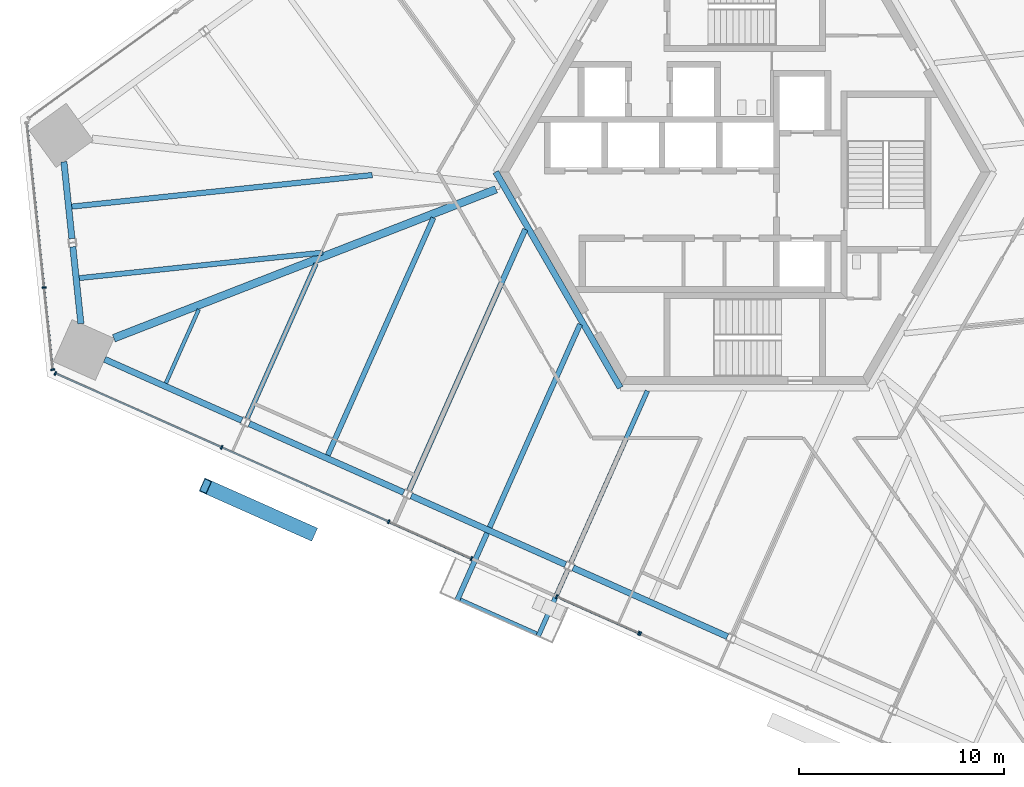
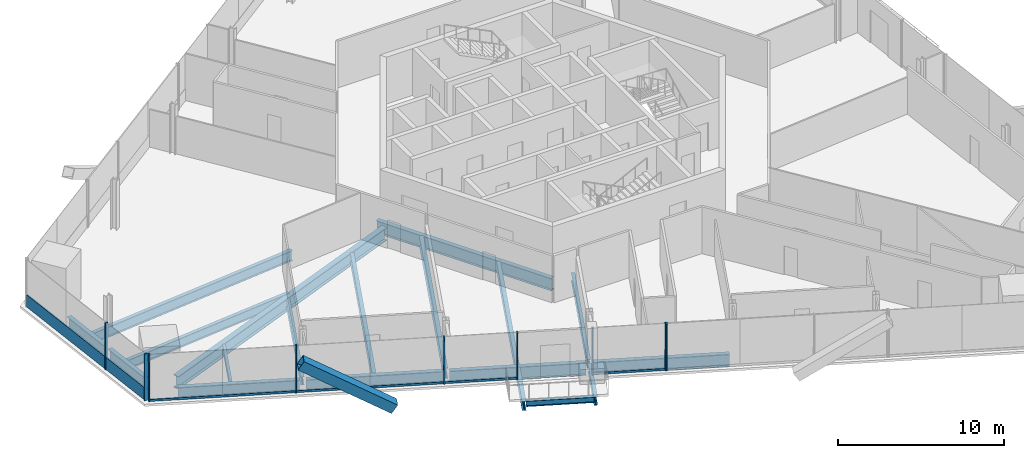
# One storey, part 3 of 18: 19 beams, 16 members, 4 elements without a shape of their own.
"""IFC4 building model written with IfcOpenShell, lengths in metres."""

from ifc_helpers import new_model, si_unit, direction, frame, origin, origin_2d, place, context, subcontext, project, spatial, rectangle, hollow_rectangle, i_section, extrude, source, transform, mapped, material, material_profile, profile_set, type_object, element, aggregate, save


model = new_model("IFC4")

# Units and contexts
model_context = context("Model", 3, precision=1e-05, world=origin(), true_north=direction((0.0, 1.0)))
body_context = subcontext(model_context, "Body", "Model", "MODEL_VIEW")
ifc_project = project(units=[si_unit("LENGTHUNIT", "METRE"), si_unit("AREAUNIT", "SQUARE_METRE"), si_unit("VOLUMEUNIT", "CUBIC_METRE"), si_unit("PLANEANGLEUNIT", "RADIAN"), si_unit("MASSUNIT", "GRAM", prefix="KILO")], contexts=[model_context])

# Site, building, storey
site_placement = place(None, origin())
site = spatial("IfcSite", under=ifc_project, at=site_placement, CompositionType="ELEMENT")
building_placement = place(site_placement, origin())
building = spatial("IfcBuilding", under=site, at=building_placement, Name="Triune Harvest Tower", CompositionType="ELEMENT")
storey_placement = place(building_placement, frame((0.0, 0.0, 83.699951171875)))
storey = spatial("IfcBuildingStorey", under=building, at=storey_placement, Name="L20", CompositionType="ELEMENT", Elevation=83.699951171875)

# Curtain wall, members
ifc_material_1 = material(Name="Aluminium bronze anodised", Category="aluminium")
curtain_wall_type_1 = type_object("IfcCurtainWallType", Name="CW-6 Balcony window wall", PredefinedType="NOTDEFINED", material=ifc_material_1)
curtain_wall_1_placement = place(storey_placement, origin())
curtain_wall_1 = element("IfcCurtainWall", 1, at=curtain_wall_1_placement, inside=storey, type_object=curtain_wall_type_1, Name="CW-6 B2-F5 L20 run 1")
ifc_material_2 = material(Name="Aluminium bronze anodised", Category="aluminium")
ifc_material_profile_1 = material_profile(ifc_material_2, rectangle(XDim=0.090087890625, YDim=0.14990234375, at=origin_2d()), Name="TR-6 transom 90 x 150")
ifc_profile_set_1 = profile_set([ifc_material_profile_1], Name="Aluminium bronze anodised")
member_type_1 = type_object("IfcMemberType", Name="TR-6 transom 90 x 150", PredefinedType="USERDEFINED", material=ifc_profile_set_1)
member_1_placement = place(storey_placement, frame((-25.53955078125, -13.474853515625, 0.074951171875), z_axis=(0.913546602643, -0.406734071352, 0.0), x_axis=(0.406734071352, 0.913546602643, 0.0)))
member_1 = element("IfcMember", 2, at=member_1_placement, type_object=member_type_1, Name="CW-6 transom B2-F5 1.2", ObjectType="TRANSOM", PredefinedType="USERDEFINED", context=body_context, shape_type="SweptSolid", body=[
    extrude(rectangle(XDim=0.090087890625, YDim=0.14990234375, at=origin_2d()), origin(), (0.0, 0.0, 1.0), 8.8603515625),
])
member_2_placement = place(storey_placement, frame((-17.376708984375, -17.109130859375, 0.074951171875), z_axis=(0.913533931173, -0.406762530964, 0.0), x_axis=(0.406762530964, 0.913533931173, 0.0)))
member_2 = element("IfcMember", 3, at=member_2_placement, type_object=member_type_1, Name="CW-6 transom B2-F5 1.3", ObjectType="TRANSOM", PredefinedType="USERDEFINED", context=body_context, shape_type="SweptSolid", body=[
    extrude(rectangle(XDim=0.090087890625, YDim=0.14990234375, at=origin_2d()), origin(), (0.0, 0.0, 1.0), 4.35498046875),
])

# Beams
ifc_material_3 = material(Name="Steel ASTM A992 Gr 50", Category="steel")
ifc_material_profile_2 = material_profile(ifc_material_3, i_section(OverallWidth=0.3046875, OverallDepth=0.914306640625, WebThickness=0.0166015625, FlangeThickness=0.02587890625, at=origin_2d()), Name="W36x160")
ifc_profile_set_2 = profile_set([ifc_material_profile_2], Name="Steel ASTM A992 Gr 50")
beam_type_1 = type_object("IfcBeamType", Name="CG-1 Core ring girder W36x160", PredefinedType="BEAM", material=ifc_profile_set_2)
shared_shape_1 = source(origin(), body_context, "Body", "SweptSolid", [
    extrude(i_section(OverallWidth=0.3046875, OverallDepth=0.914306640625, WebThickness=0.0166015625, FlangeThickness=0.02587890625, at=origin_2d()), origin(), (0.0, 0.0, 1.0), 12.176025390625),
])
beam_1_placement = place(storey_placement, frame((-12.176025390625, 0.0, -0.6171875), z_axis=(0.5000099932, -0.866019634131, 0.0), x_axis=(0.866019634131, 0.5000099932, 0.0)))
element("IfcBeam", 4, at=beam_1_placement, inside=storey, type_object=beam_type_1, Name="beam/L20/CG4", PredefinedType="BEAM", context=body_context, shape_type="MappedRepresentation", body=[
    mapped(shared_shape_1, transform((0.0, 0.0, 0.0), scale=1.0)),
])
ifc_material_4 = material(Name="Steel ASTM A992 Gr 50", Category="steel")
ifc_material_profile_3 = material_profile(ifc_material_4, i_section(OverallWidth=0.3046875, OverallDepth=0.914306640625, WebThickness=0.0166015625, FlangeThickness=0.02587890625, at=origin_2d()), Name="W36x160")
ifc_profile_set_3 = profile_set([ifc_material_profile_3], Name="Steel ASTM A992 Gr 50")
beam_type_2 = type_object("IfcBeamType", Name="SB-1 Spandrel beam W36x160", PredefinedType="SPANDREL", material=ifc_profile_set_3)
shared_shape_2 = source(origin(), body_context, "Body", "SweptSolid", [
    extrude(i_section(OverallWidth=0.3046875, OverallDepth=0.914306640625, WebThickness=0.0166015625, FlangeThickness=0.02587890625, at=origin_2d()), origin(), (0.0, 0.0, 1.0), 7.337890625),
])
beam_2_placement = place(storey_placement, frame((-31.29150390625, -9.156982421875, -0.6171875), z_axis=(0.913558923036, -0.40670639796, 0.0), x_axis=(0.40670639796, 0.913558923036, 0.0)))
element("IfcBeam", 5, at=beam_2_placement, inside=storey, type_object=beam_type_2, Name="beam/L20/SB17", PredefinedType="SPANDREL", context=body_context, shape_type="MappedRepresentation", body=[
    mapped(shared_shape_2, transform((0.0, 0.0, 0.0), scale=1.0)),
])
shared_shape_3 = source(origin(), body_context, "Body", "SweptSolid", [
    extrude(i_section(OverallWidth=0.3046875, OverallDepth=0.914306640625, WebThickness=0.0166015625, FlangeThickness=0.02587890625, at=origin_2d()), origin(), (0.0, 0.0, 1.0), 8.263427734375),
])
for number, where, z_axis, x_axis, name in (
    (6, (-24.2236328125, -12.3037109375, -0.6171875), (0.913544537455, -0.406738709846, 0.0), (0.406738709846, 0.913544537455, 0.0), "beam/L20/SB18"),
    (7, (-16.310302734375, -15.826904296875, -0.6171875), (0.913544537455, -0.406738709846, 0.0), (0.406738709846, 0.913544537455, 0.0), "beam/L20/SB19"),
    (8, (-8.39697265625, -19.35009765625, -0.6171875), (0.913544537455, -0.406738709846, 0.0), (0.406738709846, 0.913544537455, 0.0), "beam/L20/SB20"),
):
    element("IfcBeam", number, at=place(storey_placement, frame(where, z_axis=z_axis, x_axis=x_axis)), inside=storey, type_object=beam_type_2, Name=name, PredefinedType="SPANDREL", context=body_context, shape_type="MappedRepresentation", body=[
        mapped(shared_shape_3, transform((0.0, 0.0, 0.0), scale=1.0)),
    ])
shared_shape_4 = source(origin(), body_context, "Body", "SweptSolid", [
    extrude(i_section(OverallWidth=0.3046875, OverallDepth=0.914306640625, WebThickness=0.0166015625, FlangeThickness=0.02587890625, at=origin_2d()), origin(), (0.0, 0.0, 1.0), 3.775146484375),
])
for number, where, z_axis, x_axis, name in (
    (9, (-33.28564453125, 0.497802734375, -0.6171875), (0.104509725916, -0.994523864565, 0.0), (0.994523864565, 0.104509725916, 0.0), "beam/L20/SB15"),
    (10, (-32.849609375, -3.653076171875, -0.6171875), (0.104573690763, -0.994517140727, 0.0), (0.994517140727, 0.104573690763, 0.0), "beam/L20/SB16"),
):
    element("IfcBeam", number, at=place(storey_placement, frame(where, z_axis=z_axis, x_axis=x_axis)), inside=storey, type_object=beam_type_2, Name=name, PredefinedType="SPANDREL", context=body_context, shape_type="MappedRepresentation", body=[
        mapped(shared_shape_4, transform((0.0, 0.0, 0.0), scale=1.0)),
    ])
ifc_material_5 = material(Name="Steel ASTM A992 Gr 50", Category="steel")
ifc_material_profile_4 = material_profile(ifc_material_5, i_section(OverallWidth=0.383544921875, OverallDepth=0.9423828125, WebThickness=0.022216796875, FlangeThickness=0.039794921875, at=origin_2d()), Name="W36x232")
ifc_profile_set_4 = profile_set([ifc_material_profile_4], Name="Steel ASTM A992 Gr 50")
beam_type_3 = type_object("IfcBeamType", Name="HG-1 Hip girder W36x232", PredefinedType="BEAM", material=ifc_profile_set_4)
shared_shape_5 = source(origin(), body_context, "Body", "SweptSolid", [
    extrude(i_section(OverallWidth=0.383544921875, OverallDepth=0.9423828125, WebThickness=0.022216796875, FlangeThickness=0.039794921875, at=origin_2d()), origin(), (0.0, 0.0, 1.0), 20.054443359375),
])
beam_3_placement = place(storey_placement, frame((-30.84423828125, -8.12451171875, -0.631103515625), z_axis=(0.931737115777, 0.363133511374, 0.0), x_axis=(-0.363133511374, 0.931737115777, 0.0)))
element("IfcBeam", 11, at=beam_3_placement, inside=storey, type_object=beam_type_3, Name="beam/L20/HG6", PredefinedType="BEAM", context=body_context, shape_type="MappedRepresentation", body=[
    mapped(shared_shape_5, transform((0.0, 0.0, 0.0), scale=1.0)),
])
ifc_material_6 = material(Name="Steel ASTM A992 Gr 50", Category="steel")
ifc_material_profile_5 = material_profile(ifc_material_6, i_section(OverallWidth=0.180908203125, OverallDepth=0.41650390625, WebThickness=0.010986328125, FlangeThickness=0.01806640625, at=origin_2d()), Name="W16x57")
ifc_profile_set_5 = profile_set([ifc_material_profile_5], Name="Steel ASTM A992 Gr 50")
beam_type_4 = type_object("IfcBeamType", Name="JT-1 Floor joist W16x57", PredefinedType="JOIST", material=ifc_profile_set_5)
shared_shape_6 = source(origin(), body_context, "Body", "SweptSolid", [
    extrude(i_section(OverallWidth=0.180908203125, OverallDepth=0.41650390625, WebThickness=0.010986328125, FlangeThickness=0.01806640625, at=origin_2d()), origin(), (0.0, 0.0, 1.0), 3.95068359375),
])
beam_4_placement = place(storey_placement, frame((-28.300537109375, -10.32177734375, -0.3681640625), z_axis=(0.406746150359, 0.913541224668, 0.0), x_axis=(-0.913541224668, 0.406746150359, 0.0)))
element("IfcBeam", 12, at=beam_4_placement, inside=storey, type_object=beam_type_4, Name="beam/L20/JT27", PredefinedType="JOIST", context=body_context, shape_type="MappedRepresentation", body=[
    mapped(shared_shape_6, transform((0.0, 0.0, 0.0), scale=1.0)),
])
ifc_material_7 = material(Name="Steel ASTM A992 Gr 50", Category="steel")
ifc_material_profile_6 = material_profile(ifc_material_7, i_section(OverallWidth=0.22900390625, OverallDepth=0.612060546875, WebThickness=0.011962890625, FlangeThickness=0.01953125, at=origin_2d()), Name="W24x84")
ifc_profile_set_6 = profile_set([ifc_material_profile_6], Name="Steel ASTM A992 Gr 50")
beam_type_5 = type_object("IfcBeamType", Name="JT-3 Floor joist W24x84", PredefinedType="JOIST", material=ifc_profile_set_6)
shared_shape_7 = source(origin(), body_context, "Body", "SweptSolid", [
    extrude(i_section(OverallWidth=0.22900390625, OverallDepth=0.612060546875, WebThickness=0.011962890625, FlangeThickness=0.01953125, at=origin_2d()), origin(), (0.0, 0.0, 1.0), 8.28173828125),
])
beam_5_placement = place(storey_placement, frame((-24.32568359375, -12.042724609375, -0.466064453125), z_axis=(0.406731926006, 0.913547557803, 0.0), x_axis=(-0.913547557803, 0.406731926006, 0.0)))
element("IfcBeam", 13, at=beam_5_placement, inside=storey, type_object=beam_type_5, Name="beam/L20/JT28", PredefinedType="JOIST", context=body_context, shape_type="MappedRepresentation", body=[
    mapped(shared_shape_7, transform((0.0, 0.0, 0.0), scale=1.0)),
])
ifc_material_8 = material(Name="Steel ASTM A992 Gr 50", Category="steel")
ifc_material_profile_7 = material_profile(ifc_material_8, i_section(OverallWidth=0.253662109375, OverallDepth=0.683349609375, WebThickness=0.012451171875, FlangeThickness=0.01904296875, at=origin_2d()), Name="W27x94")
ifc_profile_set_7 = profile_set([ifc_material_profile_7], Name="Steel ASTM A992 Gr 50")
beam_type_6 = type_object("IfcBeamType", Name="JT-4 Floor joist W27x94", PredefinedType="JOIST", material=ifc_profile_set_7)
shared_shape_8 = source(origin(), body_context, "Body", "SweptSolid", [
    extrude(i_section(OverallWidth=0.253662109375, OverallDepth=0.683349609375, WebThickness=0.012451171875, FlangeThickness=0.01904296875, at=origin_2d()), origin(), (0.0, 0.0, 1.0), 10.864501953125),
])
beam_6_placement = place(storey_placement, frame((-12.473876953125, -17.3681640625, -0.50146484375), z_axis=(0.406757614722, 0.913536120176, 0.0), x_axis=(-0.913536120176, 0.406757614722, 0.0)))
element("IfcBeam", 14, at=beam_6_placement, inside=storey, type_object=beam_type_6, Name="beam/L20/JT31", PredefinedType="JOIST", context=body_context, shape_type="MappedRepresentation", body=[
    mapped(shared_shape_8, transform((0.0, 0.0, 0.0), scale=1.0)),
])
shared_shape_9 = source(origin(), body_context, "Body", "SweptSolid", [
    extrude(i_section(OverallWidth=0.253662109375, OverallDepth=0.683349609375, WebThickness=0.012451171875, FlangeThickness=0.01904296875, at=origin_2d()), origin(), (0.0, 0.0, 1.0), 12.701904296875),
])
beam_7_placement = place(storey_placement, frame((-20.38720703125, -13.844970703125, -0.50146484375), z_axis=(0.406748285801, 0.913540273879, 0.0), x_axis=(-0.913540273879, 0.406748285801, 0.0)))
element("IfcBeam", 15, at=beam_7_placement, inside=storey, type_object=beam_type_6, Name="beam/L20/JT29", PredefinedType="JOIST", context=body_context, shape_type="MappedRepresentation", body=[
    mapped(shared_shape_9, transform((0.0, 0.0, 0.0), scale=1.0)),
])
ifc_material_9 = material(Name="Steel ASTM A992 Gr 50", Category="steel")
ifc_material_profile_8 = material_profile(ifc_material_9, i_section(OverallWidth=0.2666015625, OverallDepth=0.7568359375, WebThickness=0.013916015625, FlangeThickness=0.019287109375, at=origin_2d()), Name="W30x108")
ifc_profile_set_8 = profile_set([ifc_material_profile_8], Name="Steel ASTM A992 Gr 50")
beam_type_7 = type_object("IfcBeamType", Name="JT-5 Floor joist W30x108", PredefinedType="JOIST", material=ifc_profile_set_8)
shared_shape_10 = source(origin(), body_context, "Body", "SweptSolid", [
    extrude(i_section(OverallWidth=0.2666015625, OverallDepth=0.7568359375, WebThickness=0.013916015625, FlangeThickness=0.019287109375, at=origin_2d()), origin(), (0.0, 0.0, 1.0), 14.7666015625),
])
beam_8_placement = place(storey_placement, frame((-32.90234375, -1.690673828125, -0.538330078125), z_axis=(0.994522471236, 0.10452298411, 0.0), x_axis=(-0.10452298411, 0.994522471236, 0.0)))
element("IfcBeam", 16, at=beam_8_placement, inside=storey, type_object=beam_type_7, Name="beam/L20/JT25", PredefinedType="JOIST", context=body_context, shape_type="MappedRepresentation", body=[
    mapped(shared_shape_10, transform((0.0, 0.0, 0.0), scale=1.0)),
])
shared_shape_11 = source(origin(), body_context, "Body", "SweptSolid", [
    extrude(i_section(OverallWidth=0.253662109375, OverallDepth=0.683349609375, WebThickness=0.012451171875, FlangeThickness=0.01904296875, at=origin_2d()), origin(), (0.0, 0.0, 1.0), 11.9775390625),
])
beam_9_placement = place(storey_placement, frame((-32.534912109375, -5.18701171875, -0.50146484375), z_axis=(0.994522193593, 0.104525625807, 0.0), x_axis=(-0.104525625807, 0.994522193593, 0.0)))
element("IfcBeam", 17, at=beam_9_placement, inside=storey, type_object=beam_type_6, Name="beam/L20/JT26", PredefinedType="JOIST", context=body_context, shape_type="MappedRepresentation", body=[
    mapped(shared_shape_11, transform((0.0, 0.0, 0.0), scale=1.0)),
])
shared_shape_12 = source(origin(), body_context, "Body", "SweptSolid", [
    extrude(i_section(OverallWidth=0.2666015625, OverallDepth=0.7568359375, WebThickness=0.013916015625, FlangeThickness=0.019287109375, at=origin_2d()), origin(), (0.0, 0.0, 1.0), 13.966796875),
])
beam_10_placement = place(storey_placement, frame((-16.412353515625, -15.56591796875, -0.538330078125), z_axis=(0.406743331023, 0.913542479948, 0.0), x_axis=(-0.913542479948, 0.406743331023, 0.0)))
element("IfcBeam", 18, at=beam_10_placement, inside=storey, type_object=beam_type_7, Name="beam/L20/JT30", PredefinedType="JOIST", context=body_context, shape_type="MappedRepresentation", body=[
    mapped(shared_shape_12, transform((0.0, 0.0, 0.0), scale=1.0)),
])
shared_shape_13 = source(origin(), body_context, "Body", "SweptSolid", [
    extrude(i_section(OverallWidth=0.22900390625, OverallDepth=0.612060546875, WebThickness=0.011962890625, FlangeThickness=0.01953125, at=origin_2d()), origin(), (0.0, 0.0, 1.0), 9.1865234375),
])
beam_11_placement = place(storey_placement, frame((-8.4990234375, -19.08935546875, -0.466064453125), z_axis=(0.406720317643, 0.913552726019, 0.0), x_axis=(-0.913552726019, 0.406720317643, 0.0)))
element("IfcBeam", 19, at=beam_11_placement, inside=storey, type_object=beam_type_5, Name="beam/L20/JT32", PredefinedType="JOIST", context=body_context, shape_type="MappedRepresentation", body=[
    mapped(shared_shape_13, transform((0.0, 0.0, 0.0), scale=1.0)),
])

# Member
ifc_material_10 = material(Name="Steel ASTM A572 Gr 50", Category="steel")
ifc_material_profile_9 = material_profile(ifc_material_10, hollow_rectangle(XDim=0.699951171875, YDim=0.699951171875, WallThickness=0.0400390625, at=origin_2d()), Name="Box 700x700x40")
ifc_profile_set_9 = profile_set([ifc_material_profile_9], Name="Steel ASTM A572 Gr 50")
member_type_2 = type_object("IfcMemberType", Name="BR-1 Brace Box 700x700x40", PredefinedType="BRACE", material=ifc_profile_set_9)
shared_shape_14 = source(origin(), body_context, "Body", "SweptSolid", [
    extrude(hollow_rectangle(XDim=0.699951171875, YDim=0.699951171875, WallThickness=0.0400390625, at=origin_2d()), origin(), (0.0, 0.0, 1.0), 6.7021484375),
])
member_3_placement = place(storey_placement, frame((-21.201171875, -17.650634765625, 0.0), z_axis=(-0.77056979764, 0.343066387169, 0.537147690082), x_axis=(-0.406723393916, -0.913551356434, 0.0)))
element("IfcMember", 20, at=member_3_placement, inside=storey, type_object=member_type_2, Name="brace/B2-F5/d2/8", PredefinedType="BRACE", context=body_context, shape_type="MappedRepresentation", body=[
    mapped(shared_shape_14, transform((0.0, 0.0, 0.0), scale=1.0)),
])

# Curtain wall, members
ifc_material_11 = material(Name="Aluminium bronze anodised", Category="aluminium")
curtain_wall_type_2 = type_object("IfcCurtainWallType", Name="CW-1 Tower stick curtain wall", PredefinedType="NOTDEFINED", material=ifc_material_11)
curtain_wall_2_placement = place(storey_placement, origin())
curtain_wall_2 = element("IfcCurtainWall", 21, at=curtain_wall_2_placement, inside=storey, type_object=curtain_wall_type_2, Name="CW-1 B2-F4 L20 run 1")
ifc_material_12 = material(Name="Aluminium bronze anodised", Category="aluminium")
ifc_material_profile_10 = material_profile(ifc_material_12, rectangle(XDim=0.199951171875, YDim=0.074951171875, at=origin_2d()), Name="MU-1 mullion 75 x 200")
ifc_profile_set_10 = profile_set([ifc_material_profile_10], Name="Aluminium bronze anodised")
member_type_3 = type_object("IfcMemberType", Name="MU-1 mullion 75 x 200", PredefinedType="MULLION", material=ifc_profile_set_10)
shared_shape_15 = source(origin(), body_context, "Body", "SweptSolid", [
    extrude(rectangle(XDim=0.199951171875, YDim=0.074951171875, at=origin_2d()), origin(), (0.0, 0.0, 1.0), 3.43994140625),
])
member_4_placement = place(storey_placement, frame((-34.25390625, -5.648193359375, 0.0), z_axis=(0.0, 0.0, 1.0), x_axis=(0.994521790334, 0.104529462601, 0.0)))
member_4 = element("IfcMember", 22, at=member_4_placement, type_object=member_type_3, Name="CW-1 mullion B2-F4 1.3", PredefinedType="MULLION", context=body_context, shape_type="MappedRepresentation", body=[
    mapped(shared_shape_15, transform((0.0, 0.0, 0.0), scale=1.0)),
])
member_5_placement = place(storey_placement, frame((-33.83203125, -9.662109375, 0.0), z_axis=(0.0, 0.0, 1.0), x_axis=(0.994521790334, 0.104529462601, 0.0)))
member_5 = element("IfcMember", 23, at=member_5_placement, type_object=member_type_3, Name="CW-1 mullion B2-F4 1.4", PredefinedType="MULLION", context=body_context, shape_type="MappedRepresentation", body=[
    mapped(shared_shape_15, transform((0.0, 0.0, 0.0), scale=1.0)),
])
ifc_material_13 = material(Name="Aluminium bronze anodised", Category="aluminium")
ifc_material_profile_11 = material_profile(ifc_material_13, rectangle(XDim=0.090087890625, YDim=0.89990234375, at=origin_2d()), Name="TR-1 transom 90 x 900")
ifc_profile_set_11 = profile_set([ifc_material_profile_11], Name="Aluminium bronze anodised")
member_type_4 = type_object("IfcMemberType", Name="TR-1 transom 90 x 900", PredefinedType="USERDEFINED", material=ifc_profile_set_11)
shared_shape_16 = source(origin(), body_context, "Body", "SweptSolid", [
    extrude(rectangle(XDim=0.090087890625, YDim=0.89990234375, at=origin_2d()), origin(), (0.0, 0.0, 1.0), 8.0341796875),
])
member_6_placement = place(storey_placement, frame((-35.09765625, 2.37939453125, 0.449951171875), z_axis=(0.104532929154, -0.994521425975, 0.0), x_axis=(0.994521425975, 0.104532929154, 0.0)))
member_6 = element("IfcMember", 24, at=member_6_placement, type_object=member_type_4, Name="CW-1 transom B2-F4 1.1", ObjectType="TRANSOM", PredefinedType="USERDEFINED", context=body_context, shape_type="MappedRepresentation", body=[
    mapped(shared_shape_16, transform((0.0, 0.0, 0.0), scale=1.0)),
])
shared_shape_17 = source(origin(), body_context, "Body", "SweptSolid", [
    extrude(rectangle(XDim=0.090087890625, YDim=0.89990234375, at=origin_2d()), origin(), (0.0, 0.0, 1.0), 3.9609375),
])
member_7_placement = place(storey_placement, frame((-34.25, -5.685546875, 0.449951171875), z_axis=(0.104537191117, -0.994520977996, 0.0), x_axis=(0.994520977996, 0.104537191117, 0.0)))
member_7 = element("IfcMember", 25, at=member_7_placement, type_object=member_type_4, Name="CW-1 transom B2-F4 1.2", ObjectType="TRANSOM", PredefinedType="USERDEFINED", context=body_context, shape_type="MappedRepresentation", body=[
    mapped(shared_shape_17, transform((0.0, 0.0, 0.0), scale=1.0)),
])
aggregate(curtain_wall_2, [member_4, member_5, member_6, member_7])

# Member
ifc_material_14 = material(Name="Aluminium bronze anodised", Category="aluminium")
ifc_material_profile_12 = material_profile(ifc_material_14, rectangle(XDim=0.199951171875, YDim=0.074951171875, at=origin_2d()), Name="MU-6 mullion 75 x 200")
ifc_profile_set_12 = profile_set([ifc_material_profile_12], Name="Aluminium bronze anodised")
member_type_5 = type_object("IfcMemberType", Name="MU-6 mullion 75 x 200", PredefinedType="MULLION", material=ifc_profile_set_12)
shared_shape_18 = source(origin(), body_context, "Body", "SweptSolid", [
    extrude(rectangle(XDim=0.199951171875, YDim=0.074951171875, at=origin_2d()), origin(), (0.0, 0.0, 1.0), 3.43994140625),
])
member_8_placement = place(storey_placement, frame((-33.7021484375, -9.840576171875, 0.0), z_axis=(0.0, 0.0, 1.0), x_axis=(0.406737205721, 0.913545207137, 0.0)))
member_8 = element("IfcMember", 26, at=member_8_placement, type_object=member_type_5, Name="CW-6 mullion B2-F5 1.1", PredefinedType="MULLION", context=body_context, shape_type="MappedRepresentation", body=[
    mapped(shared_shape_18, transform((0.0, 0.0, 0.0), scale=1.0)),
])

member_9_placement = place(storey_placement, frame((-25.57373046875, -13.459716796875, 0.0), z_axis=(0.0, 0.0, 1.0), x_axis=(0.406737205721, 0.913545207137, 0.0)))
member_9 = element("IfcMember", 27, at=member_9_placement, type_object=member_type_5, Name="CW-6 mullion B2-F5 1.3", PredefinedType="MULLION", context=body_context, shape_type="MappedRepresentation", body=[
    mapped(shared_shape_18, transform((0.0, 0.0, 0.0), scale=1.0)),
])

member_10_placement = place(storey_placement, frame((-17.4111328125, -17.093994140625, 0.0), z_axis=(0.0, 0.0, 1.0), x_axis=(0.406737205721, 0.913545207137, 0.0)))
member_10 = element("IfcMember", 28, at=member_10_placement, type_object=member_type_5, Name="CW-6 mullion B2-F5 1.5", PredefinedType="MULLION", context=body_context, shape_type="MappedRepresentation", body=[
    mapped(shared_shape_18, transform((0.0, 0.0, 0.0), scale=1.0)),
])

member_11_placement = place(storey_placement, frame((-13.364013671875, -18.895751953125, 0.0), z_axis=(0.0, 0.0, 1.0), x_axis=(0.406737205721, 0.913545207137, 0.0)))
member_11 = element("IfcMember", 29, at=member_11_placement, type_object=member_type_5, Name="CW-6 mullion B2-F5 1.6", PredefinedType="MULLION", context=body_context, shape_type="MappedRepresentation", body=[
    mapped(shared_shape_18, transform((0.0, 0.0, 0.0), scale=1.0)),
])

# Curtain wall, members
curtain_wall_3_placement = place(storey_placement, origin())
curtain_wall_3 = element("IfcCurtainWall", 30, at=curtain_wall_3_placement, inside=storey, type_object=curtain_wall_type_1, Name="CW-6 B2-F5 L20 run 2")
member_12_placement = place(storey_placement, frame((-9.19775390625, -20.750732421875, 0.0), z_axis=(0.0, 0.0, 1.0), x_axis=(0.40672988292, 0.913548467428, 0.0)))
member_12 = element("IfcMember", 31, at=member_12_placement, type_object=member_type_5, Name="CW-6 mullion B2-F5 2.1", PredefinedType="MULLION", context=body_context, shape_type="MappedRepresentation", body=[
    mapped(shared_shape_18, transform((0.0, 0.0, 0.0), scale=1.0)),
])
member_13_placement = place(storey_placement, frame((-5.18212890625, -22.53857421875, 0.0), z_axis=(0.0, 0.0, 1.0), x_axis=(0.40672988292, 0.913548467428, 0.0)))
member_13 = element("IfcMember", 32, at=member_13_placement, type_object=member_type_5, Name="CW-6 mullion B2-F5 2.2", PredefinedType="MULLION", context=body_context, shape_type="MappedRepresentation", body=[
    mapped(shared_shape_18, transform((0.0, 0.0, 0.0), scale=1.0)),
])

# Curtain wall, member
ifc_material_15 = material(Name="Aluminium bronze anodised", Category="aluminium")
curtain_wall_type_3 = type_object("IfcCurtainWallType", Name="CW-10 Balcony window wall with insulated spandrel infill", PredefinedType="NOTDEFINED", material=ifc_material_15)
curtain_wall_4_placement = place(storey_placement, origin())
curtain_wall_4 = element("IfcCurtainWall", 33, at=curtain_wall_4_placement, inside=storey, type_object=curtain_wall_type_3, Name="CW-10 B2-F5 L20 run 1002")
member_14_placement = place(storey_placement, frame((-5.113525390625, -22.569091796875, 0.0), z_axis=(0.0, 0.0, 1.0), x_axis=(0.406740943046, 0.91354354316, 0.0)))
member_14 = element("IfcMember", 34, at=member_14_placement, type_object=member_type_5, Name="CW-10 mullion B2-F5 1002.1", PredefinedType="MULLION", context=body_context, shape_type="MappedRepresentation", body=[
    mapped(shared_shape_18, transform((0.0, 0.0, 0.0), scale=1.0)),
])
aggregate(curtain_wall_4, [member_14])

# Member
shared_shape_19 = source(origin(), body_context, "Body", "SweptSolid", [
    extrude(rectangle(XDim=0.090087890625, YDim=0.14990234375, at=origin_2d()), origin(), (0.0, 0.0, 1.0), 8.82275390625),
])
member_15_placement = place(storey_placement, frame((-33.66796875, -9.85595703125, 0.074951171875), z_axis=(0.913553475572, -0.406718634033, 0.0), x_axis=(0.406718634033, 0.913553475572, 0.0)))
member_15 = element("IfcMember", 35, at=member_15_placement, type_object=member_type_1, Name="CW-6 transom B2-F5 1.1", ObjectType="TRANSOM", PredefinedType="USERDEFINED", context=body_context, shape_type="MappedRepresentation", body=[
    mapped(shared_shape_19, transform((0.0, 0.0, 0.0), scale=1.0)),
])

aggregate(curtain_wall_1, [member_8, member_9, member_10, member_11, member_15, member_1, member_2])

# Beams
ifc_material_16 = material(Name="Steel ASTM A992 Gr 50", Category="steel")
ifc_material_profile_13 = material_profile(ifc_material_16, i_section(OverallWidth=0.22900390625, OverallDepth=0.612060546875, WebThickness=0.011962890625, FlangeThickness=0.01953125, at=origin_2d()), Name="W24x84")
ifc_profile_set_13 = profile_set([ifc_material_profile_13], Name="Steel ASTM A992 Gr 50")
beam_type_8 = type_object("IfcBeamType", Name="BJ-3 Balcony cantilever joist W24x84", PredefinedType="JOIST", material=ifc_profile_set_13)
shared_shape_20 = source(origin(), body_context, "Body", "SweptSolid", [
    extrude(i_section(OverallWidth=0.22900390625, OverallDepth=0.612060546875, WebThickness=0.011962890625, FlangeThickness=0.01953125, at=origin_2d()), origin(), (0.0, 0.0, 1.0), 3.597412109375),
])
beam_12_placement = place(storey_placement, frame((-8.64111328125, -19.408203125, -0.466064453125), z_axis=(-0.406780631062, -0.91352587166, 0.0), x_axis=(0.91352587166, -0.406780631062, 0.0)))
element("IfcBeam", 36, at=beam_12_placement, inside=storey, type_object=beam_type_8, Name="Balcony cantilever joist B2-F5 L20.6b", PredefinedType="JOIST", context=body_context, shape_type="MappedRepresentation", body=[
    mapped(shared_shape_20, transform((0.0, 0.0, 0.0), scale=1.0)),
])
ifc_material_17 = material(Name="Steel ASTM A992 Gr 50", Category="steel")
ifc_material_profile_14 = material_profile(ifc_material_17, i_section(OverallWidth=0.253662109375, OverallDepth=0.683349609375, WebThickness=0.012451171875, FlangeThickness=0.01904296875, at=origin_2d()), Name="W27x94")
ifc_profile_set_14 = profile_set([ifc_material_profile_14], Name="Steel ASTM A992 Gr 50")
beam_type_9 = type_object("IfcBeamType", Name="BJ-4 Balcony cantilever joist W27x94", PredefinedType="JOIST", material=ifc_profile_set_14)
shared_shape_21 = source(origin(), body_context, "Body", "SweptSolid", [
    extrude(i_section(OverallWidth=0.253662109375, OverallDepth=0.683349609375, WebThickness=0.012451171875, FlangeThickness=0.01904296875, at=origin_2d()), origin(), (0.0, 0.0, 1.0), 3.597412109375),
])
beam_13_placement = place(storey_placement, frame((-12.597900390625, -17.646728515625, -0.50146484375), z_axis=(-0.406723993675, -0.913551089414, 0.0), x_axis=(0.913551089414, -0.406723993675, 0.0)))
element("IfcBeam", 37, at=beam_13_placement, inside=storey, type_object=beam_type_9, Name="Balcony cantilever joist B2-F5 L20.6a", PredefinedType="JOIST", context=body_context, shape_type="MappedRepresentation", body=[
    mapped(shared_shape_21, transform((0.0, 0.0, 0.0), scale=1.0)),
])

# Member
shared_shape_22 = source(origin(), body_context, "Body", "SweptSolid", [
    extrude(rectangle(XDim=0.090087890625, YDim=0.14990234375, at=origin_2d()), origin(), (0.0, 0.0, 1.0), 4.320556640625),
])
member_16_placement = place(storey_placement, frame((-9.163330078125, -20.76611328125, 0.074951171875), z_axis=(0.913566708477, -0.406688909563, 0.0), x_axis=(0.406688909563, 0.913566708477, 0.0)))
member_16 = element("IfcMember", 38, at=member_16_placement, type_object=member_type_1, Name="CW-6 transom B2-F5 2.1", ObjectType="TRANSOM", PredefinedType="USERDEFINED", context=body_context, shape_type="MappedRepresentation", body=[
    mapped(shared_shape_22, transform((0.0, 0.0, 0.0), scale=1.0)),
])

aggregate(curtain_wall_3, [member_12, member_13, member_16])

# Beam
ifc_material_18 = material(Name="Steel ASTM A992 Gr 50", Category="steel")
ifc_material_profile_15 = material_profile(ifc_material_18, i_section(OverallWidth=0.180908203125, OverallDepth=0.41650390625, WebThickness=0.010986328125, FlangeThickness=0.01806640625, at=origin_2d()), Name="W16x57")
ifc_profile_set_15 = profile_set([ifc_material_profile_15], Name="Steel ASTM A992 Gr 50")
beam_type_10 = type_object("IfcBeamType", Name="BE-1 balcony edge beam W16x57", PredefinedType="BEAM", material=ifc_profile_set_15)
shared_shape_23 = source(origin(), body_context, "Body", "SweptSolid", [
    extrude(i_section(OverallWidth=0.180908203125, OverallDepth=0.41650390625, WebThickness=0.010986328125, FlangeThickness=0.01806640625, at=origin_2d()), origin(), (0.0, 0.0, 1.0), 4.08935546875),
])
beam_14_placement = place(storey_placement, frame((-13.908203125, -20.902099609375, -0.3681640625), z_axis=(0.91354300289, -0.406742156495, 0.0), x_axis=(0.406742156495, 0.91354300289, 0.0)))
element("IfcBeam", 39, at=beam_14_placement, inside=storey, type_object=beam_type_10, Name="Balcony edge beam B2-F5 L20.6", PredefinedType="BEAM", context=body_context, shape_type="MappedRepresentation", body=[
    mapped(shared_shape_23, transform((0.0, 0.0, 0.0), scale=1.0)),
])

save(model, "model.ifc")
